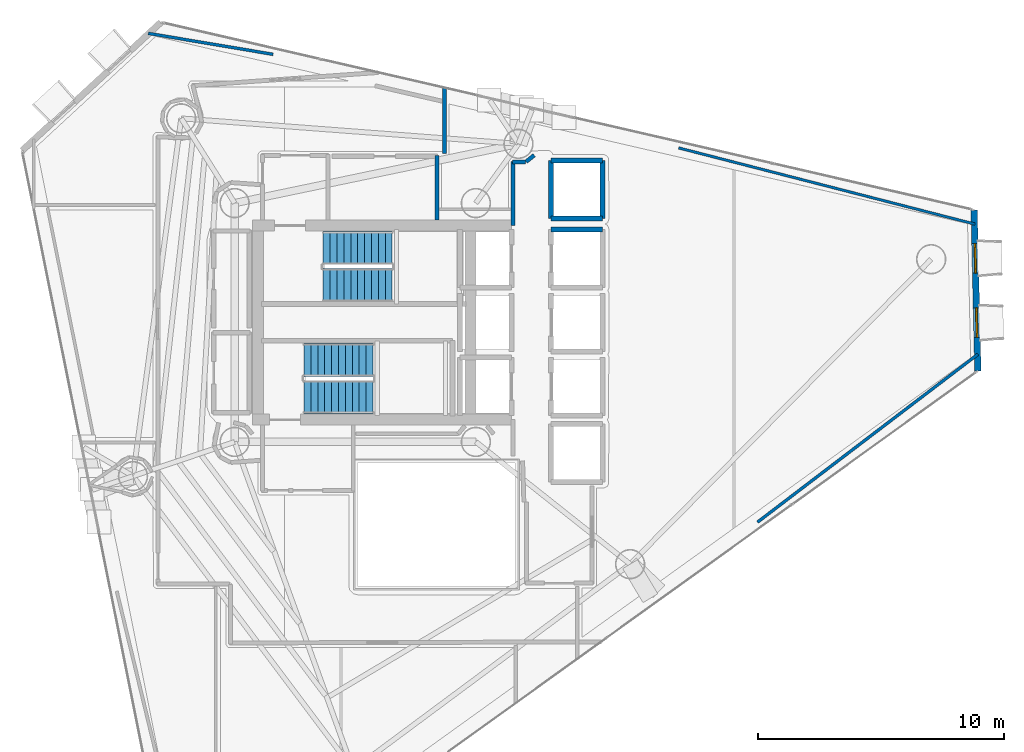
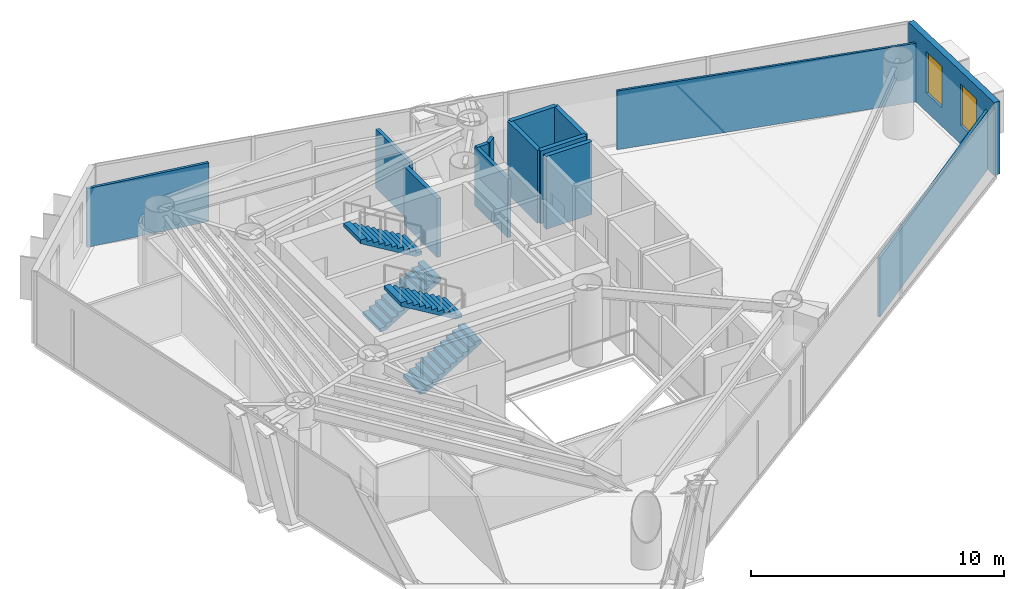
# One storey, part 19 of 22: 14 walls, 4 stair flights, 2 windows, 2 openings, 2 elements without a shape of their own.
"""IFC4 building model written with IfcOpenShell, lengths in metres."""

from ifc_helpers import new_model, si_unit, direction, frame, frame_2d, origin, place, context, subcontext, project, spatial, polyline, rectangle, outline, extrude, material, layer, layer_set, type_object, element, fill, aggregate, save


model = new_model("IFC4")

# Units and contexts
model_context = context("Model", 3, precision=1e-05, world=origin(), true_north=direction((0.0, 1.0)))
body_context = subcontext(model_context, "Body", "Model", "MODEL_VIEW")
ifc_project = project(units=[si_unit("LENGTHUNIT", "METRE"), si_unit("AREAUNIT", "SQUARE_METRE"), si_unit("VOLUMEUNIT", "CUBIC_METRE"), si_unit("PLANEANGLEUNIT", "RADIAN"), si_unit("MASSUNIT", "GRAM", prefix="KILO")], contexts=[model_context])

# Site, building, storey
site_placement = place(None, origin())
site = spatial("IfcSite", under=ifc_project, at=site_placement, CompositionType="ELEMENT")
building_placement = place(site_placement, origin())
building = spatial("IfcBuilding", under=site, at=building_placement, Name="Qianvela Tower", CompositionType="ELEMENT")
storey_placement = place(building_placement, frame((0.0, 0.0, 204.0)))
storey = spatial("IfcBuildingStorey", under=building, at=storey_placement, Name="L52", CompositionType="ELEMENT", Elevation=204.0)

# Wall, openings, windows
ifc_material_1 = material(Name="Terracotta Cladding on Concrete C40", Category="masonry")
ifc_layer_1 = layer(ifc_material_1, 0.260009765625)
ifc_layer_set_1 = layer_set([ifc_layer_1], Name="Terracotta Cladding on Concrete C40")
wall_type_1 = type_object("IfcWallType", Name="TERRACOTTA-WALL-260", PredefinedType="SOLIDWALL", material=ifc_layer_set_1)
wall_1_placement = place(storey_placement, frame((58.79345703125, 26.730224609375, 0.0), z_axis=(0.0, 0.0, 1.0), x_axis=(-0.023327605805, 0.999727874378, 0.0)))
wall_1 = element("IfcWall", 1, at=wall_1_placement, inside=storey, type_object=wall_type_1, Name="L52 Terracotta Chamfer Facet Wall 1", PredefinedType="SOLIDWALL", context=body_context, shape_type="SweptSolid", body=[
    extrude(rectangle(XDim=6.541015625, YDim=0.260009765625, at=frame_2d((3.2705078125, 0.0))), origin(), (0.0, 0.0, 1.0), 3.52001953125),
])
opening_1_placement = place(wall_1_placement, frame((1.3623046875, 0.0, 0.89990234375)))
opening_1 = element("IfcOpeningElement", 2, at=opening_1_placement, cuts=wall_1, Name="Opening W-03", PredefinedType="OPENING", context=body_context, shape_type="SweptSolid", body=[
    extrude(rectangle(XDim=1.199951171875, YDim=2.0, at=frame_2d((0.60009765625, 1.0))), frame((0.0, 0.139892578125, 0.0), z_axis=(0.0, -1.0, 0.0), x_axis=(1.0, 0.0, 0.0)), (0.0, 0.0, 1.0), 0.280029296875),
])
opening_2_placement = place(wall_1_placement, frame((3.978759765625, 0.0, 0.89990234375)))
opening_2 = element("IfcOpeningElement", 3, at=opening_2_placement, cuts=wall_1, Name="Opening W-03", PredefinedType="OPENING", context=body_context, shape_type="SweptSolid", body=[
    extrude(rectangle(XDim=1.199951171875, YDim=2.0, at=frame_2d((0.60009765625, 1.0))), frame((0.0, 0.139892578125, 0.0), z_axis=(0.0, -1.0, 0.0), x_axis=(1.0, 0.0, 0.0)), (0.0, 0.0, 1.0), 0.280029296875),
])
ifc_material_2 = material(Name="Thermally Broken Aluminium and Low-E Glass", Category="aluminium")
window_type = type_object("IfcWindowType", Name="WIN-TC-1200x2000", PartitioningType="SINGLE_PANEL", PredefinedType="WINDOW", material=ifc_material_2)
window_1_placement = place(opening_1_placement, origin())
window_1 = element("IfcWindow", 4, at=window_1_placement, inside=storey, type_object=window_type, Name="L52 Chamfer Facet Window 1.1", OverallHeight=2.0, OverallWidth=1.199951171875, PartitioningType="SINGLE_PANEL", PredefinedType="WINDOW", context=body_context, shape_type="SweptSolid", body=[
    extrude(rectangle(XDim=1.199951171875, YDim=2.0, at=frame_2d((0.60009765625, 1.0))), frame((0.0, 0.030029296875, 0.0), z_axis=(0.0, -1.0, 0.0), x_axis=(1.0, 0.0, 0.0)), (0.0, 0.0, 1.0), 0.06005859375),
])
fill(opening_1, window_1)
window_2_placement = place(opening_2_placement, origin())
window_2 = element("IfcWindow", 5, at=window_2_placement, inside=storey, type_object=window_type, Name="L52 Chamfer Facet Window 1.2", OverallHeight=2.0, OverallWidth=1.199951171875, PartitioningType="SINGLE_PANEL", PredefinedType="WINDOW", context=body_context, shape_type="SweptSolid", body=[
    extrude(rectangle(XDim=1.199951171875, YDim=2.0, at=frame_2d((0.60009765625, 1.0))), frame((0.0, 0.030029296875, 0.0), z_axis=(0.0, -1.0, 0.0), x_axis=(1.0, 0.0, 0.0)), (0.0, 0.0, 1.0), 0.06005859375),
])
fill(opening_2, window_2)

# Walls
ifc_material_3 = material(Name="Fire-Rated Gypsum and Concrete Block", Category="concrete")
ifc_layer_2 = layer(ifc_material_3, 0.159912109375)
ifc_layer_set_2 = layer_set([ifc_layer_2], Name="Fire-Rated Gypsum and Concrete Block")
wall_type_2 = type_object("IfcWallType", Name="WT-CORR-160", PredefinedType="PARTITIONING", material=ifc_layer_set_2)
wall_2_placement = place(storey_placement, frame((39.910888671875, 32.639892578125, 0.0), z_axis=(0.0, 0.0, 1.0), x_axis=(0.0, 1.0, 0.0)))
element("IfcWall", 6, at=wall_2_placement, inside=storey, type_object=wall_type_2, Name="L52 Partition 12", PredefinedType="PARTITIONING", context=body_context, shape_type="SweptSolid", body=[
    extrude(rectangle(XDim=2.60400390625, YDim=0.159912109375, at=frame_2d((1.302001953125, 0.0))), origin(), (0.0, 0.0, 1.0), 2.840087890625),
])
wall_3_placement = place(storey_placement, frame((39.880615234375, 35.212890625, 0.0), z_axis=(0.0, 0.0, 1.0), x_axis=(0.999756500784, 0.02206669754, 0.0)))
element("IfcWall", 7, at=wall_3_placement, inside=storey, type_object=wall_type_2, Name="L52 Partition 13", PredefinedType="PARTITIONING", context=body_context, shape_type="SweptSolid", body=[
    extrude(rectangle(XDim=0.542236328125, YDim=0.159912109375, at=frame_2d((0.27099609375, 0.0))), origin(), (0.0, 0.0, 1.0), 2.840087890625),
])
wall_4_placement = place(storey_placement, frame((40.44140625, 35.231689453125, 0.0), z_axis=(0.0, 0.0, 1.0), x_axis=(0.778714564707, 0.627378376033, 0.0)))
element("IfcWall", 8, at=wall_4_placement, inside=storey, type_object=wall_type_2, Name="L52 Partition 14", PredefinedType="PARTITIONING", context=body_context, shape_type="SweptSolid", body=[
    extrude(rectangle(XDim=0.421142578125, YDim=0.159912109375, at=frame_2d((0.21044921875, 0.0))), origin(), (0.0, 0.0, 1.0), 2.840087890625),
])
wall_5_placement = place(storey_placement, frame((37.118896484375, 38.25537109375, 0.0), z_axis=(0.0, 0.0, 1.0), x_axis=(0.0, -1.0, 0.0)))
element("IfcWall", 9, at=wall_5_placement, inside=storey, type_object=wall_type_2, Name="L52 Partition 53", PredefinedType="PARTITIONING", context=body_context, shape_type="SweptSolid", body=[
    extrude(rectangle(XDim=2.6953125, YDim=0.159912109375, at=frame_2d((1.34765625, 0.0))), origin(), (0.0, 0.0, 1.0), 2.840087890625),
])
ifc_material_4 = material(Name="Lightweight Gypsum Room Partition")
ifc_layer_3 = layer(ifc_material_4, 0.10498046875)
ifc_layer_set_3 = layer_set([ifc_layer_3], Name="Lightweight Gypsum Room Partition")
wall_type_3 = type_object("IfcWallType", Name="WT-PART-105", PredefinedType="PARTITIONING", material=ifc_layer_set_3)
wall_6_placement = place(storey_placement, frame((46.6376953125, 35.792724609375, 0.0), z_axis=(0.0, 0.0, 1.0), x_axis=(0.968468695422, -0.249135276483, 0.0)))
element("IfcWall", 10, at=wall_6_placement, inside=storey, type_object=wall_type_3, Name="L52 Partition 107 seg 2", PredefinedType="PARTITIONING", context=body_context, shape_type="SweptSolid", body=[
    extrude(rectangle(XDim=12.427734375, YDim=0.10498046875, at=frame_2d((6.2138671875, 0.0))), origin(), (0.0, 0.0, 1.0), 2.840087890625),
])
ifc_material_5 = material(Name="Insulated Gypsum Stud Partition")
ifc_layer_4 = layer(ifc_material_5, 0.1201171875)
ifc_layer_set_4 = layer_set([ifc_layer_4], Name="Insulated Gypsum Stud Partition")
wall_type_4 = type_object("IfcWallType", Name="WT-PART-120", PredefinedType="PARTITIONING", material=ifc_layer_set_4)
wall_7_placement = place(storey_placement, frame((58.794189453125, 27.409423828125, 0.0), z_axis=(0.0, 0.0, 1.0), x_axis=(-0.795505416469, -0.605946476488, 0.0)))
element("IfcWall", 11, at=wall_7_placement, inside=storey, type_object=wall_type_4, Name="L52 Partition 109 seg 1", PredefinedType="PARTITIONING", context=body_context, shape_type="SweptSolid", body=[
    extrude(rectangle(XDim=11.25390625, YDim=0.1201171875, at=frame_2d((5.626953125, 0.0))), origin(), (0.0, 0.0, 1.0), 2.840087890625),
])
wall_8_placement = place(storey_placement, frame((25.092041015625, 40.445068359375, 0.0), z_axis=(0.0, 0.0, 1.0), x_axis=(0.986208576086, -0.165507233844, 0.0)))
element("IfcWall", 12, at=wall_8_placement, inside=storey, type_object=wall_type_4, Name="L52 Partition 121 seg 1", PredefinedType="PARTITIONING", context=body_context, shape_type="SweptSolid", body=[
    extrude(rectangle(XDim=5.143798828125, YDim=0.1201171875, at=frame_2d((2.57177734375, 0.0))), origin(), (0.0, 0.0, 1.0), 2.840087890625),
])
ifc_material_6 = material(Name="Moisture-Resistant Acoustic Plumbing Wall")
ifc_layer_5 = layer(ifc_material_6, 0.175048828125)
ifc_layer_set_5 = layer_set([ifc_layer_5], Name="Moisture-Resistant Acoustic Plumbing Wall")
wall_type_5 = type_object("IfcWallType", Name="WT-PLUMB-175", PredefinedType="PLUMBINGWALL", material=ifc_layer_set_5)
wall_9_placement = place(storey_placement, frame((36.819091796875, 35.47998046875, 0.0), z_axis=(0.0, 0.0, 1.0), x_axis=(0.0, -1.0, 0.0)))
element("IfcWall", 13, at=wall_9_placement, inside=storey, type_object=wall_type_5, Name="L52 Partition 23", PredefinedType="PLUMBINGWALL", context=body_context, shape_type="SweptSolid", body=[
    extrude(rectangle(XDim=2.6220703125, YDim=0.175048828125, at=frame_2d((1.31103515625, 0.0))), origin(), (0.0, 0.0, 1.0), 2.840087890625),
])
ifc_material_7 = material(Name="Concrete C50", Category="concrete")
ifc_layer_6 = layer(ifc_material_7, 0.199951171875)
ifc_layer_set_6 = layer_set([ifc_layer_6], Name="Concrete C50")
wall_type_6 = type_object("IfcWallType", Name="WT-SHAFT-200", PredefinedType="SOLIDWALL", material=ifc_layer_set_6)
wall_10_placement = place(storey_placement, frame((41.449951171875, 32.47998046875, 0.0), z_axis=(0.0, 0.0, 1.0), x_axis=(1.0, 0.0, 0.0)))
element("IfcWall", 14, at=wall_10_placement, inside=storey, type_object=wall_type_6, Name="L52 Lift PL-M1 N Shaft Wall", PredefinedType="SOLIDWALL", context=body_context, shape_type="SweptSolid", body=[
    extrude(rectangle(XDim=2.10009765625, YDim=0.199951171875, at=frame_2d((1.050048828125, 0.0))), origin(), (0.0, 0.0, 1.0), 3.52001953125),
])
for number, where, z_axis, x_axis, name in (
    (15, (43.550048828125, 32.919921875, 0.0), (0.0, 0.0, 1.0), (0.0, 1.0, 0.0), "L52 Lift PL-H3 E Shaft Wall"),
    (16, (41.449951171875, 32.919921875, 0.0), (0.0, 0.0, 1.0), (0.0, 1.0, 0.0), "L52 Lift PL-H3 W Shaft Wall"),
):
    element("IfcWall", number, at=place(storey_placement, frame(where, z_axis=z_axis, x_axis=x_axis)), inside=storey, type_object=wall_type_6, Name=name, PredefinedType="SOLIDWALL", context=body_context, shape_type="SweptSolid", body=[
        extrude(rectangle(XDim=2.360107421875, YDim=0.199951171875, at=frame_2d((1.18017578125, 0.0))), origin(), (0.0, 0.0, 1.0), 3.52001953125),
    ])
for number, where, z_axis, x_axis, name in (
    (17, (41.449951171875, 35.280029296875, 0.0), (0.0, 0.0, 1.0), (1.0, 0.0, 0.0), "L52 Lift PL-H3 N Shaft Wall"),
    (18, (41.449951171875, 32.919921875, 0.0), (0.0, 0.0, 1.0), (1.0, 0.0, 0.0), "L52 Lift PL-H3 S Shaft Wall"),
):
    element("IfcWall", number, at=place(storey_placement, frame(where, z_axis=z_axis, x_axis=x_axis)), inside=storey, type_object=wall_type_6, Name=name, PredefinedType="SOLIDWALL", context=body_context, shape_type="SweptSolid", body=[
        extrude(rectangle(XDim=2.10009765625, YDim=0.199951171875, at=frame_2d((1.050048828125, 0.0))), origin(), (0.0, 0.0, 1.0), 3.52001953125),
    ])

# Stair, stair flights
ifc_material_8 = material(Name="Concrete C40", Category="concrete")
stair_type = type_object("IfcStairType", Name="ST-DOGLEG-1350-R168-N22", PredefinedType="HALF_TURN_STAIR", material=ifc_material_8)
stair_1_placement = place(storey_placement, origin())
stair_1 = element("IfcStair", 19, at=stair_1_placement, inside=storey, type_object=stair_type, Name="L52 Smoke-Proof Core Stair ST-1", PredefinedType="HALF_TURN_STAIR")
ifc_material_9 = material(Name="Concrete C40", Category="concrete")
stair_flight_type = type_object("IfcStairFlightType", Name="STF-STRAIGHT-R168-P11", PredefinedType="STRAIGHT", material=ifc_material_9)
stair_flight_1_placement = place(storey_placement, frame((32.199951171875, 30.215087890625, 0.0), z_axis=(0.0, 0.0, 1.0), x_axis=(1.0, 0.0, 0.0)))
stair_flight_1 = element("IfcStairFlight", 20, at=stair_flight_1_placement, type_object=stair_flight_type, Name="ST-1 flight 1", NumberOfRisers=11, NumberOfTreads=10, PredefinedType="STRAIGHT", RiserHeight=0.168181818, TreadLength=0.28, context=body_context, shape_type="SweptSolid", body=[
    extrude(outline(polyline([(0.0, 0.0), (0.0, 0.168212890625), (0.280029296875, 0.168212890625), (0.280029296875, 0.33642578125), (0.56005859375, 0.33642578125), (0.56005859375, 0.504638671875), (0.840087890625, 0.504638671875), (0.840087890625, 0.672607421875), (1.1201171875, 0.672607421875), (1.1201171875, 0.8408203125), (1.39990234375, 0.8408203125), (1.39990234375, 1.009033203125), (1.679931640625, 1.009033203125), (1.679931640625, 1.17724609375), (1.9599609375, 1.17724609375), (1.9599609375, 1.345458984375), (2.239990234375, 1.345458984375), (2.239990234375, 1.513671875), (2.52001953125, 1.513671875), (2.52001953125, 1.681884765625), (2.800048828125, 1.681884765625), (2.800048828125, 1.85009765625), (2.800048828125, 1.5068359375), (0.291015625, 0.0), (0.0, 0.0)])), frame((0.0, 0.675048828125, 0.0), z_axis=(0.0, -1.0, 0.0), x_axis=(1.0, 0.0, 0.0)), (0.0, 0.0, 1.0), 1.35009765625),
])
stair_flight_2_placement = place(storey_placement, frame((35.0, 31.72509765625, 1.85009765625), z_axis=(0.0, 0.0, 1.0), x_axis=(-1.0, 0.0, 0.0)))
stair_flight_2 = element("IfcStairFlight", 21, at=stair_flight_2_placement, type_object=stair_flight_type, Name="ST-1 flight 2", NumberOfRisers=11, NumberOfTreads=10, PredefinedType="STRAIGHT", RiserHeight=0.168181818, TreadLength=0.28, context=body_context, shape_type="SweptSolid", body=[
    extrude(outline(polyline([(0.0, 0.0), (0.0, 0.168212890625), (0.280029296875, 0.168212890625), (0.280029296875, 0.33642578125), (0.56005859375, 0.33642578125), (0.56005859375, 0.504638671875), (0.840087890625, 0.504638671875), (0.840087890625, 0.672607421875), (1.1201171875, 0.672607421875), (1.1201171875, 0.8408203125), (1.39990234375, 0.8408203125), (1.39990234375, 1.009033203125), (1.679931640625, 1.009033203125), (1.679931640625, 1.17724609375), (1.9599609375, 1.17724609375), (1.9599609375, 1.345458984375), (2.239990234375, 1.345458984375), (2.239990234375, 1.513671875), (2.52001953125, 1.513671875), (2.52001953125, 1.681884765625), (2.800048828125, 1.681884765625), (2.800048828125, 1.85009765625), (2.800048828125, 1.5068359375), (0.291015625, 0.0), (0.0, 0.0)])), frame((0.0, 0.675048828125, 0.0), z_axis=(0.0, -1.0, 0.0), x_axis=(1.0, 0.0, 0.0)), (0.0, 0.0, 1.0), 1.35009765625),
])
aggregate(stair_1, [stair_flight_1, stair_flight_2])

stair_2_placement = place(storey_placement, origin())
stair_2 = element("IfcStair", 22, at=stair_2_placement, inside=storey, type_object=stair_type, Name="L52 Smoke-Proof Core Stair ST-2", PredefinedType="HALF_TURN_STAIR")
stair_flight_3_placement = place(storey_placement, frame((31.419921875, 25.675048828125, 0.0), z_axis=(0.0, 0.0, 1.0), x_axis=(1.0, 0.0, 0.0)))
stair_flight_3 = element("IfcStairFlight", 23, at=stair_flight_3_placement, type_object=stair_flight_type, Name="ST-2 flight 1", NumberOfRisers=11, NumberOfTreads=10, PredefinedType="STRAIGHT", RiserHeight=0.168181818, TreadLength=0.28, context=body_context, shape_type="SweptSolid", body=[
    extrude(outline(polyline([(0.0, 0.0), (0.0, 0.168212890625), (0.280029296875, 0.168212890625), (0.280029296875, 0.33642578125), (0.56005859375, 0.33642578125), (0.56005859375, 0.504638671875), (0.840087890625, 0.504638671875), (0.840087890625, 0.672607421875), (1.1201171875, 0.672607421875), (1.1201171875, 0.8408203125), (1.39990234375, 0.8408203125), (1.39990234375, 1.009033203125), (1.679931640625, 1.009033203125), (1.679931640625, 1.17724609375), (1.9599609375, 1.17724609375), (1.9599609375, 1.345458984375), (2.239990234375, 1.345458984375), (2.239990234375, 1.513671875), (2.52001953125, 1.513671875), (2.52001953125, 1.681884765625), (2.800048828125, 1.681884765625), (2.800048828125, 1.85009765625), (2.800048828125, 1.5068359375), (0.291015625, 0.0), (0.0, 0.0)])), frame((0.0, 0.675048828125, 0.0), z_axis=(0.0, -1.0, 0.0), x_axis=(1.0, 0.0, 0.0)), (0.0, 0.0, 1.0), 1.35009765625),
])
stair_flight_4_placement = place(storey_placement, frame((34.219970703125, 27.18505859375, 1.85009765625), z_axis=(0.0, 0.0, 1.0), x_axis=(-1.0, 0.0, 0.0)))
stair_flight_4 = element("IfcStairFlight", 24, at=stair_flight_4_placement, type_object=stair_flight_type, Name="ST-2 flight 2", NumberOfRisers=11, NumberOfTreads=10, PredefinedType="STRAIGHT", RiserHeight=0.168181818, TreadLength=0.28, context=body_context, shape_type="SweptSolid", body=[
    extrude(outline(polyline([(0.0, 0.0), (0.0, 0.168212890625), (0.280029296875, 0.168212890625), (0.280029296875, 0.33642578125), (0.56005859375, 0.33642578125), (0.56005859375, 0.504638671875), (0.840087890625, 0.504638671875), (0.840087890625, 0.672607421875), (1.1201171875, 0.672607421875), (1.1201171875, 0.8408203125), (1.39990234375, 0.8408203125), (1.39990234375, 1.009033203125), (1.679931640625, 1.009033203125), (1.679931640625, 1.17724609375), (1.9599609375, 1.17724609375), (1.9599609375, 1.345458984375), (2.239990234375, 1.345458984375), (2.239990234375, 1.513671875), (2.52001953125, 1.513671875), (2.52001953125, 1.681884765625), (2.800048828125, 1.681884765625), (2.800048828125, 1.85009765625), (2.800048828125, 1.5068359375), (0.291015625, 0.0), (0.0, 0.0)])), frame((0.0, 0.675048828125, 0.0), z_axis=(0.0, -1.0, 0.0), x_axis=(1.0, 0.0, 0.0)), (0.0, 0.0, 1.0), 1.35009765625),
])
aggregate(stair_2, [stair_flight_3, stair_flight_4])

save(model, "model.ifc")
